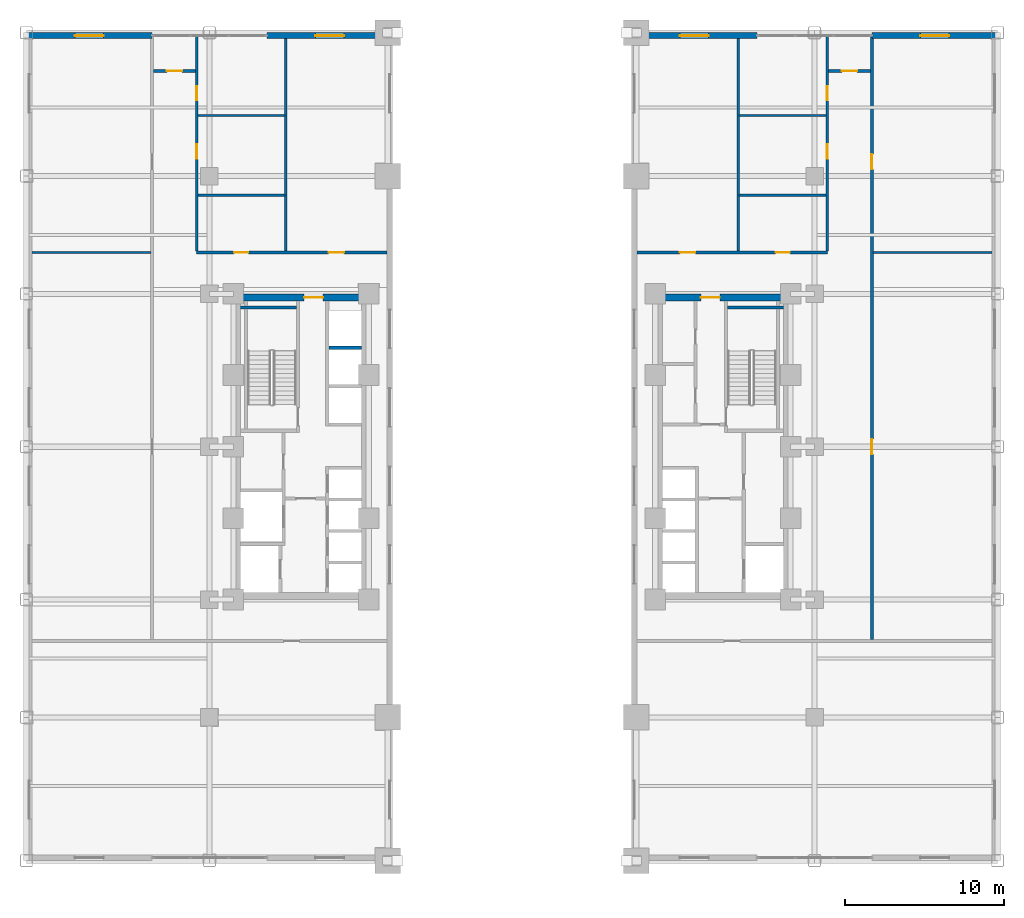
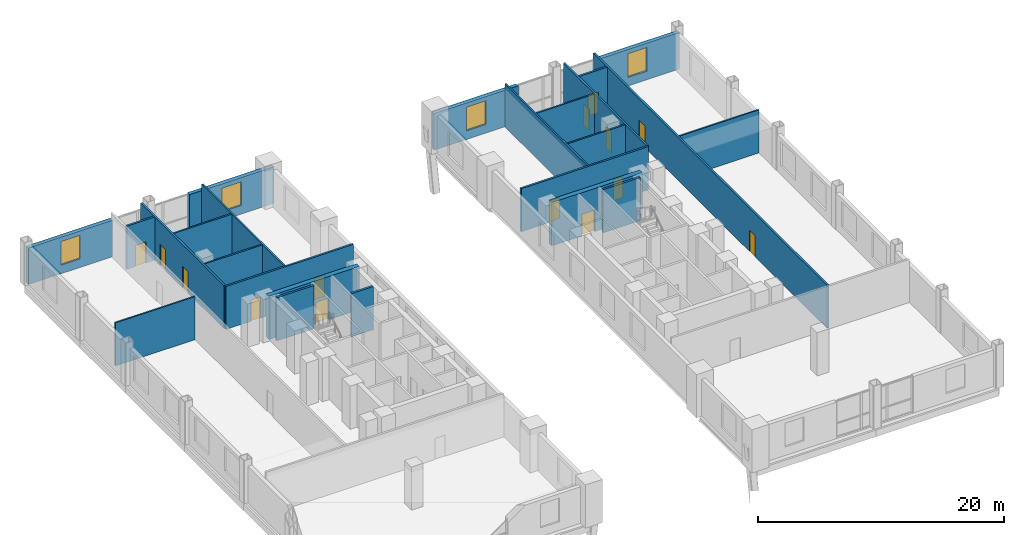
# One storey, part 6 of 15: 24 walls, 14 doors, 4 windows, 18 openings.
"""IFC4 building model written with IfcOpenShell, lengths in metres."""

from ifc_helpers import new_model, si_unit, direction, frame, frame_2d, origin, place, context, subcontext, project, spatial, rectangle, extrude, source, transform, mapped, material, layer, layer_set, type_object, type_shapes, element, fill, save


model = new_model("IFC4")

# Units and contexts
model_context = context("Model", 3, precision=1e-05, world=origin(), true_north=direction((0.0, 1.0)))
body_context = subcontext(model_context, "Body", "Model", "MODEL_VIEW")
ifc_project = project(units=[si_unit("LENGTHUNIT", "METRE"), si_unit("AREAUNIT", "SQUARE_METRE"), si_unit("VOLUMEUNIT", "CUBIC_METRE"), si_unit("PLANEANGLEUNIT", "RADIAN"), si_unit("MASSUNIT", "GRAM", prefix="KILO")], contexts=[model_context])

# Site, building, storey
site_placement = place(None, origin())
site = spatial("IfcSite", under=ifc_project, at=site_placement, CompositionType="ELEMENT")
building_placement = place(site_placement, origin())
building = spatial("IfcBuilding", under=site, at=building_placement, Name="Nuvemarco Arch Tower", CompositionType="ELEMENT")
storey_placement = place(building_placement, frame((0.0, 0.0, 4.60009765625)))
storey = spatial("IfcBuildingStorey", under=building, at=storey_placement, Name="L01", CompositionType="ELEMENT", Elevation=4.60009765625)

# Wall, opening, window
ifc_material_1 = material(Name="Precast concrete C45/55", Category="concrete")
ifc_layer_1 = layer(ifc_material_1, 0.360107421875, Name="EW-POD-360")
ifc_layer_set_1 = layer_set([ifc_layer_1], Name="Precast concrete C45/55")
wall_type_1 = type_object("IfcWallType", Name="EW-POD-360", PredefinedType="STANDARD", material=ifc_layer_set_1)
wall_1_placement = place(storey_placement, frame((-30.5, 25.820068359375, 0.0), z_axis=(0.0, 0.0, 1.0), x_axis=(1.0, 0.0, 0.0)))
wall_1 = element("IfcWall", 1, at=wall_1_placement, inside=storey, type_object=wall_type_1, Name="L01 exterior precast pier wall north left", PredefinedType="STANDARD", context=body_context, shape_type="SweptSolid", body=[
    extrude(rectangle(XDim=7.89990234375, YDim=0.360107421875, at=frame_2d((3.949951171875, 0.0))), origin(), (0.0, 0.0, 1.0), 3.614990234375),
])
opening_1_placement = place(wall_1_placement, frame((3.050048828125, 0.0, 0.85009765625)))
opening_1 = element("IfcOpeningElement", 2, at=opening_1_placement, cuts=wall_1, Name="Opening WN-2", PredefinedType="OPENING", context=body_context, shape_type="SweptSolid", body=[
    extrude(rectangle(XDim=1.800048828125, YDim=2.35009765625, at=frame_2d((0.89990234375, 1.175048828125))), frame((0.0, 0.18994140625, 0.0), z_axis=(0.0, -1.0, 0.0), x_axis=(1.0, 0.0, 0.0)), (0.0, 0.0, 1.0), 0.380126953125),
])
ifc_material_2 = material(Name="Insulated solar-control glass", Category="glass")
window_type = type_object("IfcWindowType", Name="WN-POD-1800x2350", PartitioningType="DOUBLE_PANEL_VERTICAL", PredefinedType="WINDOW", material=ifc_material_2)
shared_shape_1 = source(origin(), body_context, "Body", "SweptSolid", [
    extrude(rectangle(XDim=1.800048828125, YDim=2.35009765625, at=frame_2d((0.89990234375, 1.175048828125))), frame((0.0, 0.030029296875, 0.0), z_axis=(0.0, -1.0, 0.0), x_axis=(1.0, 0.0, 0.0)), (0.0, 0.0, 1.0), 0.06005859375),
])
type_shapes(window_type, [shared_shape_1])
window_1_placement = place(opening_1_placement, origin())
window_1 = element("IfcWindow", 3, at=window_1_placement, inside=storey, type_object=window_type, Name="L01 punched facade window 1", OverallHeight=2.35009765625, OverallWidth=1.800048828125, PartitioningType="SINGLE_PANEL", PredefinedType="WINDOW", context=body_context, shape_type="MappedRepresentation", body=[
    mapped(shared_shape_1, transform((0.0, 0.0, 0.0), scale=1.0)),
])
fill(opening_1, window_1)

wall_2_placement = place(storey_placement, frame((-15.39990234375, 25.820068359375, 0.0), z_axis=(0.0, 0.0, 1.0), x_axis=(1.0, 0.0, 0.0)))
wall_2 = element("IfcWall", 4, at=wall_2_placement, inside=storey, type_object=wall_type_1, Name="L01 exterior precast pier wall north right", PredefinedType="STANDARD", context=body_context, shape_type="SweptSolid", body=[
    extrude(rectangle(XDim=7.89990234375, YDim=0.360107421875, at=frame_2d((3.949951171875, 0.0))), origin(), (0.0, 0.0, 1.0), 3.614990234375),
])
opening_2_placement = place(wall_2_placement, frame((3.050048828125, 0.0, 0.85009765625)))
opening_2 = element("IfcOpeningElement", 5, at=opening_2_placement, cuts=wall_2, Name="Opening WN-2", PredefinedType="OPENING", context=body_context, shape_type="SweptSolid", body=[
    extrude(rectangle(XDim=1.800048828125, YDim=2.35009765625, at=frame_2d((0.89990234375, 1.175048828125))), frame((0.0, 0.18994140625, 0.0), z_axis=(0.0, -1.0, 0.0), x_axis=(1.0, 0.0, 0.0)), (0.0, 0.0, 1.0), 0.380126953125),
])
window_2_placement = place(opening_2_placement, origin())
window_2 = element("IfcWindow", 6, at=window_2_placement, inside=storey, type_object=window_type, Name="L01 punched facade window 1", OverallHeight=2.35009765625, OverallWidth=1.800048828125, PartitioningType="SINGLE_PANEL", PredefinedType="WINDOW", context=body_context, shape_type="MappedRepresentation", body=[
    mapped(shared_shape_1, transform((0.0, 0.0, 0.0), scale=1.0)),
])
fill(opening_2, window_2)

wall_3_placement = place(storey_placement, frame((7.5, 25.820068359375, 0.0), z_axis=(0.0, 0.0, 1.0), x_axis=(1.0, 0.0, 0.0)))
wall_3 = element("IfcWall", 7, at=wall_3_placement, inside=storey, type_object=wall_type_1, Name="L01 exterior precast pier wall north left", PredefinedType="STANDARD", context=body_context, shape_type="SweptSolid", body=[
    extrude(rectangle(XDim=7.89990234375, YDim=0.360107421875, at=frame_2d((3.949951171875, 0.0))), origin(), (0.0, 0.0, 1.0), 3.614990234375),
])
opening_3_placement = place(wall_3_placement, frame((3.050048828125, 0.0, 0.85009765625)))
opening_3 = element("IfcOpeningElement", 8, at=opening_3_placement, cuts=wall_3, Name="Opening WN-2", PredefinedType="OPENING", context=body_context, shape_type="SweptSolid", body=[
    extrude(rectangle(XDim=1.800048828125, YDim=2.35009765625, at=frame_2d((0.89990234375, 1.175048828125))), frame((0.0, 0.18994140625, 0.0), z_axis=(0.0, -1.0, 0.0), x_axis=(1.0, 0.0, 0.0)), (0.0, 0.0, 1.0), 0.380126953125),
])
window_3_placement = place(opening_3_placement, origin())
window_3 = element("IfcWindow", 9, at=window_3_placement, inside=storey, type_object=window_type, Name="L01 punched facade window 1", OverallHeight=2.35009765625, OverallWidth=1.800048828125, PartitioningType="SINGLE_PANEL", PredefinedType="WINDOW", context=body_context, shape_type="MappedRepresentation", body=[
    mapped(shared_shape_1, transform((0.0, 0.0, 0.0), scale=1.0)),
])
fill(opening_3, window_3)

wall_4_placement = place(storey_placement, frame((22.60009765625, 25.820068359375, 0.0), z_axis=(0.0, 0.0, 1.0), x_axis=(1.0, 0.0, 0.0)))
wall_4 = element("IfcWall", 10, at=wall_4_placement, inside=storey, type_object=wall_type_1, Name="L01 exterior precast pier wall north right", PredefinedType="STANDARD", context=body_context, shape_type="SweptSolid", body=[
    extrude(rectangle(XDim=7.89990234375, YDim=0.360107421875, at=frame_2d((3.949951171875, 0.0))), origin(), (0.0, 0.0, 1.0), 3.614990234375),
])
opening_4_placement = place(wall_4_placement, frame((3.050048828125, 0.0, 0.85009765625)))
opening_4 = element("IfcOpeningElement", 11, at=opening_4_placement, cuts=wall_4, Name="Opening WN-2", PredefinedType="OPENING", context=body_context, shape_type="SweptSolid", body=[
    extrude(rectangle(XDim=1.800048828125, YDim=2.35009765625, at=frame_2d((0.89990234375, 1.175048828125))), frame((0.0, 0.18994140625, 0.0), z_axis=(0.0, -1.0, 0.0), x_axis=(1.0, 0.0, 0.0)), (0.0, 0.0, 1.0), 0.380126953125),
])
window_4_placement = place(opening_4_placement, origin())
window_4 = element("IfcWindow", 12, at=window_4_placement, inside=storey, type_object=window_type, Name="L01 punched facade window 1", OverallHeight=2.35009765625, OverallWidth=1.800048828125, PartitioningType="SINGLE_PANEL", PredefinedType="WINDOW", context=body_context, shape_type="MappedRepresentation", body=[
    mapped(shared_shape_1, transform((0.0, 0.0, 0.0), scale=1.0)),
])
fill(opening_4, window_4)

# Wall, opening, door
ifc_material_3 = material(Name="Concrete C60/75", Category="concrete")
ifc_layer_2 = layer(ifc_material_3, 0.449951171875, Name="WL-CORE-450")
ifc_layer_set_2 = layer_set([ifc_layer_2], Name="Concrete C60/75")
wall_type_2 = type_object("IfcWallType", Name="WL-CORE-450", PredefinedType="SHEAR", material=ifc_layer_set_2)
wall_5_placement = place(storey_placement, frame((-17.5, 9.375, 0.0), z_axis=(0.0, 0.0, 1.0), x_axis=(1.0, 0.0, 0.0)))
wall_5 = element("IfcWall", 13, at=wall_5_placement, inside=storey, type_object=wall_type_2, Name="L01 W-core shear wall N", PredefinedType="SHEAR", context=body_context, shape_type="SweptSolid", body=[
    extrude(rectangle(XDim=8.5, YDim=0.449951171875, at=frame_2d((4.25, 0.0))), origin(), (0.0, 0.0, 1.0), 4.27978515625),
])
opening_5_placement = place(wall_5_placement, frame((4.43994140625, 0.0, 0.0)))
opening_5 = element("IfcOpeningElement", 14, at=opening_5_placement, cuts=wall_5, Name="Opening FD-2", PredefinedType="OPENING", context=body_context, shape_type="SweptSolid", body=[
    extrude(rectangle(XDim=1.199951171875, YDim=2.14990234375, at=frame_2d((0.60009765625, 1.074951171875))), frame((0.0, 0.23486328125, 0.0), z_axis=(0.0, -1.0, 0.0), x_axis=(1.0, 0.0, 0.0)), (0.0, 0.0, 1.0), 0.469970703125),
])
ifc_material_4 = material(Name="Anodised steel fire door", Category="steel")
door_type_1 = type_object("IfcDoorType", Name="DR-FFLOB-FD", OperationType="NOTDEFINED", PredefinedType="DOOR", material=ifc_material_4)
shared_shape_2 = source(origin(), body_context, "Body", "SweptSolid", [
    extrude(rectangle(XDim=1.199951171875, YDim=2.14990234375, at=frame_2d((0.60009765625, 1.074951171875))), frame((0.0, 0.02490234375, 0.0), z_axis=(0.0, -1.0, 0.0), x_axis=(1.0, 0.0, 0.0)), (0.0, 0.0, 1.0), 0.050048828125),
])
type_shapes(door_type_1, [shared_shape_2])
door_1_placement = place(opening_5_placement, origin())
door_1 = element("IfcDoor", 15, at=door_1_placement, inside=storey, type_object=door_type_1, Name="L01 door FD-L01-WCORE-N", OperationType="SINGLE_SWING_LEFT", OverallHeight=2.14990234375, OverallWidth=1.199951171875, PredefinedType="DOOR", context=body_context, shape_type="MappedRepresentation", body=[
    mapped(shared_shape_2, transform((0.0, 0.0, 0.0), scale=1.0)),
])
fill(opening_5, door_1)

wall_6_placement = place(storey_placement, frame((9.0, 9.375, 0.0), z_axis=(0.0, 0.0, 1.0), x_axis=(1.0, 0.0, 0.0)))
wall_6 = element("IfcWall", 16, at=wall_6_placement, inside=storey, type_object=wall_type_2, Name="L01 E-core shear wall N", PredefinedType="SHEAR", context=body_context, shape_type="SweptSolid", body=[
    extrude(rectangle(XDim=8.5, YDim=0.449951171875, at=frame_2d((4.25, 0.0))), origin(), (0.0, 0.0, 1.0), 4.27978515625),
])
opening_6_placement = place(wall_6_placement, frame((2.860107421875, 0.0, 0.0)))
opening_6 = element("IfcOpeningElement", 17, at=opening_6_placement, cuts=wall_6, Name="Opening FD-2", PredefinedType="OPENING", context=body_context, shape_type="SweptSolid", body=[
    extrude(rectangle(XDim=1.199951171875, YDim=2.14990234375, at=frame_2d((0.60009765625, 1.074951171875))), frame((0.0, 0.23486328125, 0.0), z_axis=(0.0, -1.0, 0.0), x_axis=(1.0, 0.0, 0.0)), (0.0, 0.0, 1.0), 0.469970703125),
])
door_2_placement = place(opening_6_placement, origin())
door_2 = element("IfcDoor", 18, at=door_2_placement, inside=storey, type_object=door_type_1, Name="L01 door FD-L01-ECORE-N", OperationType="SINGLE_SWING_RIGHT", OverallHeight=2.14990234375, OverallWidth=1.199951171875, PredefinedType="DOOR", context=body_context, shape_type="MappedRepresentation", body=[
    mapped(shared_shape_2, transform((0.0, 0.0, 0.0), scale=1.0)),
])
fill(opening_6, door_2)

# Wall, openings, doors
ifc_material_5 = material(Name="Fire-rated gypsum drywall partition")
ifc_layer_3 = layer(ifc_material_5, 0.179931640625, Name="WL-CORR-180")
ifc_layer_set_3 = layer_set([ifc_layer_3], Name="Fire-rated gypsum drywall partition")
wall_type_3 = type_object("IfcWallType", Name="WL-CORR-180", PredefinedType="PARTITIONING", material=ifc_layer_set_3)
wall_7_placement = place(storey_placement, frame((-19.800048828125, 12.199951171875, 0.0), z_axis=(0.0, 0.0, 1.0), x_axis=(1.0, 0.0, 0.0)))
wall_7 = element("IfcWall", 19, at=wall_7_placement, inside=storey, type_object=wall_type_3, Name="L01 interior wall IW-L01-004", PredefinedType="PARTITIONING", context=body_context, shape_type="SweptSolid", body=[
    extrude(rectangle(XDim=11.93994140625, YDim=0.179931640625, at=frame_2d((5.969970703125, 0.0))), origin(), (0.0, 0.0, 1.0), 4.27001953125),
])
opening_7_placement = place(wall_7_placement, frame((8.2900390625, 0.0, 0.0)))
opening_7 = element("IfcOpeningElement", 20, at=opening_7_placement, cuts=wall_7, Name="Opening FD-5", PredefinedType="OPENING", context=body_context, shape_type="SweptSolid", body=[
    extrude(rectangle(XDim=0.9599609375, YDim=2.10009765625, at=frame_2d((0.47998046875, 1.050048828125))), frame((0.0, 0.099853515625, 0.0), z_axis=(0.0, -1.0, 0.0), x_axis=(1.0, 0.0, 0.0)), (0.0, 0.0, 1.0), 0.199951171875),
])
opening_8_placement = place(wall_7_placement, frame((2.35009765625, 0.0, 0.0)))
opening_8 = element("IfcOpeningElement", 21, at=opening_8_placement, cuts=wall_7, Name="Opening ID-3", PredefinedType="OPENING", context=body_context, shape_type="SweptSolid", body=[
    extrude(rectangle(XDim=0.89990234375, YDim=2.10009765625, at=frame_2d((0.449951171875, 1.050048828125))), frame((0.0, 0.099853515625, 0.0), z_axis=(0.0, -1.0, 0.0), x_axis=(1.0, 0.0, 0.0)), (0.0, 0.0, 1.0), 0.199951171875),
])
ifc_material_6 = material(Name="Timber fire door", Category="wood")
door_type_2 = type_object("IfcDoorType", Name="DR-CORR-FD", OperationType="NOTDEFINED", PredefinedType="DOOR", material=ifc_material_6)
shared_shape_3 = source(origin(), body_context, "Body", "SweptSolid", [
    extrude(rectangle(XDim=0.9599609375, YDim=2.10009765625, at=frame_2d((0.47998046875, 1.050048828125))), frame((0.0, 0.02490234375, 0.0), z_axis=(0.0, -1.0, 0.0), x_axis=(1.0, 0.0, 0.0)), (0.0, 0.0, 1.0), 0.050048828125),
])
type_shapes(door_type_2, [shared_shape_3])
door_3_placement = place(opening_7_placement, origin())
door_3 = element("IfcDoor", 22, at=door_3_placement, inside=storey, type_object=door_type_2, Name="L01 door DR-L01-POD_WBRD", OperationType="SINGLE_SWING_LEFT", OverallHeight=2.10009765625, OverallWidth=0.9599609375, PredefinedType="DOOR", context=body_context, shape_type="MappedRepresentation", body=[
    mapped(shared_shape_3, transform((0.0, 0.0, 0.0), scale=1.0)),
])
fill(opening_7, door_3)
ifc_material_7 = material(Name="Veneered oak timber fire door", Category="wood")
door_type_3 = type_object("IfcDoorType", Name="DR-WC-ACC", OperationType="NOTDEFINED", PredefinedType="DOOR", material=ifc_material_7)
shared_shape_4 = source(origin(), body_context, "Body", "SweptSolid", [
    extrude(rectangle(XDim=0.89990234375, YDim=2.10009765625, at=frame_2d((0.449951171875, 1.050048828125))), frame((0.0, 0.02490234375, 0.0), z_axis=(0.0, -1.0, 0.0), x_axis=(1.0, 0.0, 0.0)), (0.0, 0.0, 1.0), 0.050048828125),
])
type_shapes(door_type_3, [shared_shape_4])
door_4_placement = place(opening_8_placement, origin())
door_4 = element("IfcDoor", 23, at=door_4_placement, inside=storey, type_object=door_type_3, Name="L01 door DR-L01-POD_WWC_ACC", OperationType="SINGLE_SWING_RIGHT", OverallHeight=2.10009765625, OverallWidth=0.89990234375, PredefinedType="DOOR", context=body_context, shape_type="MappedRepresentation", body=[
    mapped(shared_shape_4, transform((0.0, 0.0, 0.0), scale=1.0)),
])
fill(opening_8, door_4)

wall_8_placement = place(storey_placement, frame((7.860107421875, 12.199951171875, 0.0), z_axis=(0.0, 0.0, 1.0), x_axis=(1.0, 0.0, 0.0)))
wall_8 = element("IfcWall", 24, at=wall_8_placement, inside=storey, type_object=wall_type_3, Name="L01 interior wall IW-L01-005", PredefinedType="PARTITIONING", context=body_context, shape_type="SweptSolid", body=[
    extrude(rectangle(XDim=11.93994140625, YDim=0.179931640625, at=frame_2d((5.969970703125, 0.0))), origin(), (0.0, 0.0, 1.0), 4.27001953125),
])
opening_9_placement = place(wall_8_placement, frame((2.68994140625, 0.0, 0.0)))
opening_9 = element("IfcOpeningElement", 25, at=opening_9_placement, cuts=wall_8, Name="Opening FD-5", PredefinedType="OPENING", context=body_context, shape_type="SweptSolid", body=[
    extrude(rectangle(XDim=0.9599609375, YDim=2.10009765625, at=frame_2d((0.47998046875, 1.050048828125))), frame((0.0, 0.099853515625, 0.0), z_axis=(0.0, -1.0, 0.0), x_axis=(1.0, 0.0, 0.0)), (0.0, 0.0, 1.0), 0.199951171875),
])
opening_10_placement = place(wall_8_placement, frame((8.68994140625, 0.0, 0.0)))
opening_10 = element("IfcOpeningElement", 26, at=opening_10_placement, cuts=wall_8, Name="Opening ID-3", PredefinedType="OPENING", context=body_context, shape_type="SweptSolid", body=[
    extrude(rectangle(XDim=0.89990234375, YDim=2.10009765625, at=frame_2d((0.449951171875, 1.050048828125))), frame((0.0, 0.099853515625, 0.0), z_axis=(0.0, -1.0, 0.0), x_axis=(1.0, 0.0, 0.0)), (0.0, 0.0, 1.0), 0.199951171875),
])
door_5_placement = place(opening_9_placement, origin())
door_5 = element("IfcDoor", 27, at=door_5_placement, inside=storey, type_object=door_type_2, Name="L01 door DR-L01-POD_EMTG", OperationType="SINGLE_SWING_LEFT", OverallHeight=2.10009765625, OverallWidth=0.9599609375, PredefinedType="DOOR", context=body_context, shape_type="MappedRepresentation", body=[
    mapped(shared_shape_3, transform((0.0, 0.0, 0.0), scale=1.0)),
])
fill(opening_9, door_5)
door_6_placement = place(opening_10_placement, origin())
door_6 = element("IfcDoor", 28, at=door_6_placement, inside=storey, type_object=door_type_3, Name="L01 door DR-L01-POD_EWC_ACC", OperationType="SINGLE_SWING_RIGHT", OverallHeight=2.10009765625, OverallWidth=0.89990234375, PredefinedType="DOOR", context=body_context, shape_type="MappedRepresentation", body=[
    mapped(shared_shape_4, transform((0.0, 0.0, 0.0), scale=1.0)),
])
fill(opening_10, door_6)

# Wall, opening, door
wall_9_placement = place(storey_placement, frame((-22.513916015625, 23.60009765625, 0.0), z_axis=(0.0, 0.0, 1.0), x_axis=(1.0, 0.0, 0.0)))
wall_9 = element("IfcWall", 29, at=wall_9_placement, inside=storey, type_object=wall_type_3, Name="L01 interior wall IW-L01-011", PredefinedType="PARTITIONING", context=body_context, shape_type="SweptSolid", body=[
    extrude(rectangle(XDim=2.6279296875, YDim=0.179931640625, at=frame_2d((1.31396484375, 0.0))), origin(), (0.0, 0.0, 1.0), 4.27001953125),
])
opening_11_placement = place(wall_9_placement, frame((0.833984375, 0.0, 0.0)))
opening_11 = element("IfcOpeningElement", 30, at=opening_11_placement, cuts=wall_9, Name="Opening FD-5", PredefinedType="OPENING", context=body_context, shape_type="SweptSolid", body=[
    extrude(rectangle(XDim=0.9599609375, YDim=2.10009765625, at=frame_2d((0.47998046875, 1.050048828125))), frame((0.0, 0.099853515625, 0.0), z_axis=(0.0, -1.0, 0.0), x_axis=(1.0, 0.0, 0.0)), (0.0, 0.0, 1.0), 0.199951171875),
])
door_7_placement = place(opening_11_placement, origin())
door_7 = element("IfcDoor", 31, at=door_7_placement, inside=storey, type_object=door_type_2, Name="L01 door DR-L01-POD_WSTORE", OperationType="SINGLE_SWING_LEFT", OverallHeight=2.10009765625, OverallWidth=0.9599609375, PredefinedType="DOOR", context=body_context, shape_type="MappedRepresentation", body=[
    mapped(shared_shape_3, transform((0.0, 0.0, 0.0), scale=1.0)),
])
fill(opening_11, door_7)

wall_10_placement = place(storey_placement, frame((19.885986328125, 23.60009765625, 0.0), z_axis=(0.0, 0.0, 1.0), x_axis=(1.0, 0.0, 0.0)))
wall_10 = element("IfcWall", 32, at=wall_10_placement, inside=storey, type_object=wall_type_3, Name="L01 interior wall IW-L01-012", PredefinedType="PARTITIONING", context=body_context, shape_type="SweptSolid", body=[
    extrude(rectangle(XDim=2.6279296875, YDim=0.179931640625, at=frame_2d((1.31396484375, 0.0))), origin(), (0.0, 0.0, 1.0), 4.27001953125),
])
opening_12_placement = place(wall_10_placement, frame((0.833984375, 0.0, 0.0)))
opening_12 = element("IfcOpeningElement", 33, at=opening_12_placement, cuts=wall_10, Name="Opening FD-5", PredefinedType="OPENING", context=body_context, shape_type="SweptSolid", body=[
    extrude(rectangle(XDim=0.9599609375, YDim=2.10009765625, at=frame_2d((0.47998046875, 1.050048828125))), frame((0.0, 0.099853515625, 0.0), z_axis=(0.0, -1.0, 0.0), x_axis=(1.0, 0.0, 0.0)), (0.0, 0.0, 1.0), 0.199951171875),
])
door_8_placement = place(opening_12_placement, origin())
door_8 = element("IfcDoor", 34, at=door_8_placement, inside=storey, type_object=door_type_2, Name="L01 door DR-L01-POD_ESTORE", OperationType="SINGLE_SWING_LEFT", OverallHeight=2.10009765625, OverallWidth=0.9599609375, PredefinedType="DOOR", context=body_context, shape_type="MappedRepresentation", body=[
    mapped(shared_shape_3, transform((0.0, 0.0, 0.0), scale=1.0)),
])
fill(opening_12, door_8)

# Wall, openings, doors
wall_11_placement = place(storey_placement, frame((-19.800048828125, 12.285888671875, 0.0), z_axis=(0.0, 0.0, 1.0), x_axis=(0.0, 1.0, 0.0)))
wall_11 = element("IfcWall", 35, at=wall_11_placement, inside=storey, type_object=wall_type_3, Name="L01 interior wall IW-L01-014", PredefinedType="PARTITIONING", context=body_context, shape_type="SweptSolid", body=[
    extrude(rectangle(XDim=13.51904296875, YDim=0.179931640625, at=frame_2d((6.759521484375, 0.0))), origin(), (0.0, 0.0, 1.0), 4.27001953125),
])
opening_13_placement = place(wall_11_placement, frame((5.81396484375, 0.0, 0.0)))
opening_13 = element("IfcOpeningElement", 36, at=opening_13_placement, cuts=wall_11, Name="Opening ID-3", PredefinedType="OPENING", context=body_context, shape_type="SweptSolid", body=[
    extrude(rectangle(XDim=0.89990234375, YDim=2.10009765625, at=frame_2d((0.449951171875, 1.050048828125))), frame((0.0, 0.099853515625, 0.0), z_axis=(0.0, -1.0, 0.0), x_axis=(1.0, 0.0, 0.0)), (0.0, 0.0, 1.0), 0.199951171875),
])
opening_14_placement = place(wall_11_placement, frame((9.464111328125, 0.0, 0.0)))
opening_14 = element("IfcOpeningElement", 37, at=opening_14_placement, cuts=wall_11, Name="Opening ID-3", PredefinedType="OPENING", context=body_context, shape_type="SweptSolid", body=[
    extrude(rectangle(XDim=0.89990234375, YDim=2.10009765625, at=frame_2d((0.449951171875, 1.050048828125))), frame((0.0, 0.099853515625, 0.0), z_axis=(0.0, -1.0, 0.0), x_axis=(1.0, 0.0, 0.0)), (0.0, 0.0, 1.0), 0.199951171875),
])
door_9_placement = place(opening_13_placement, origin())
door_9 = element("IfcDoor", 38, at=door_9_placement, inside=storey, type_object=door_type_3, Name="L01 door DR-L01-POD_WWC_M", OperationType="SINGLE_SWING_LEFT", OverallHeight=2.10009765625, OverallWidth=0.89990234375, PredefinedType="DOOR", context=body_context, shape_type="MappedRepresentation", body=[
    mapped(shared_shape_4, transform((0.0, 0.0, 0.0), scale=1.0)),
])
fill(opening_13, door_9)
door_10_placement = place(opening_14_placement, origin())
door_10 = element("IfcDoor", 39, at=door_10_placement, inside=storey, type_object=door_type_3, Name="L01 door DR-L01-POD_WWC_F", OperationType="SINGLE_SWING_RIGHT", OverallHeight=2.10009765625, OverallWidth=0.89990234375, PredefinedType="DOOR", context=body_context, shape_type="MappedRepresentation", body=[
    mapped(shared_shape_4, transform((0.0, 0.0, 0.0), scale=1.0)),
])
fill(opening_14, door_10)

wall_12_placement = place(storey_placement, frame((19.800048828125, 12.285888671875, 0.0), z_axis=(0.0, 0.0, 1.0), x_axis=(0.0, 1.0, 0.0)))
wall_12 = element("IfcWall", 40, at=wall_12_placement, inside=storey, type_object=wall_type_3, Name="L01 interior wall IW-L01-017", PredefinedType="PARTITIONING", context=body_context, shape_type="SweptSolid", body=[
    extrude(rectangle(XDim=13.51904296875, YDim=0.179931640625, at=frame_2d((6.759521484375, 0.0))), origin(), (0.0, 0.0, 1.0), 4.27001953125),
])
opening_15_placement = place(wall_12_placement, frame((5.81396484375, 0.0, 0.0)))
opening_15 = element("IfcOpeningElement", 41, at=opening_15_placement, cuts=wall_12, Name="Opening ID-3", PredefinedType="OPENING", context=body_context, shape_type="SweptSolid", body=[
    extrude(rectangle(XDim=0.89990234375, YDim=2.10009765625, at=frame_2d((0.449951171875, 1.050048828125))), frame((0.0, 0.099853515625, 0.0), z_axis=(0.0, -1.0, 0.0), x_axis=(1.0, 0.0, 0.0)), (0.0, 0.0, 1.0), 0.199951171875),
])
opening_16_placement = place(wall_12_placement, frame((9.464111328125, 0.0, 0.0)))
opening_16 = element("IfcOpeningElement", 42, at=opening_16_placement, cuts=wall_12, Name="Opening ID-3", PredefinedType="OPENING", context=body_context, shape_type="SweptSolid", body=[
    extrude(rectangle(XDim=0.89990234375, YDim=2.10009765625, at=frame_2d((0.449951171875, 1.050048828125))), frame((0.0, 0.099853515625, 0.0), z_axis=(0.0, -1.0, 0.0), x_axis=(1.0, 0.0, 0.0)), (0.0, 0.0, 1.0), 0.199951171875),
])
door_11_placement = place(opening_15_placement, origin())
door_11 = element("IfcDoor", 43, at=door_11_placement, inside=storey, type_object=door_type_3, Name="L01 door DR-L01-POD_EWC_M", OperationType="SINGLE_SWING_LEFT", OverallHeight=2.10009765625, OverallWidth=0.89990234375, PredefinedType="DOOR", context=body_context, shape_type="MappedRepresentation", body=[
    mapped(shared_shape_4, transform((0.0, 0.0, 0.0), scale=1.0)),
])
fill(opening_15, door_11)
door_12_placement = place(opening_16_placement, origin())
door_12 = element("IfcDoor", 44, at=door_12_placement, inside=storey, type_object=door_type_3, Name="L01 door DR-L01-POD_EWC_F", OperationType="SINGLE_SWING_RIGHT", OverallHeight=2.10009765625, OverallWidth=0.89990234375, PredefinedType="DOOR", context=body_context, shape_type="MappedRepresentation", body=[
    mapped(shared_shape_4, transform((0.0, 0.0, 0.0), scale=1.0)),
])
fill(opening_16, door_12)

wall_13_placement = place(storey_placement, frame((22.60009765625, -12.114013671875, 0.0), z_axis=(0.0, 0.0, 1.0), x_axis=(0.0, 1.0, 0.0)))
wall_13 = element("IfcWall", 45, at=wall_13_placement, inside=storey, type_object=wall_type_3, Name="L01 interior wall IW-L01-018", PredefinedType="PARTITIONING", context=body_context, shape_type="SweptSolid", body=[
    extrude(rectangle(XDim=37.9189453125, YDim=0.179931640625, at=frame_2d((18.95947265625, 0.0))), origin(), (0.0, 0.0, 1.0), 4.27001953125),
])
opening_17_placement = place(wall_13_placement, frame((11.634033203125, 0.0, 0.0)))
opening_17 = element("IfcOpeningElement", 46, at=opening_17_placement, cuts=wall_13, Name="Opening FD-5", PredefinedType="OPENING", context=body_context, shape_type="SweptSolid", body=[
    extrude(rectangle(XDim=0.9599609375, YDim=2.10009765625, at=frame_2d((0.47998046875, 1.050048828125))), frame((0.0, 0.099853515625, 0.0), z_axis=(0.0, -1.0, 0.0), x_axis=(1.0, 0.0, 0.0)), (0.0, 0.0, 1.0), 0.199951171875),
])
opening_18_placement = place(wall_13_placement, frame((29.533935546875, 0.0, 0.0)))
opening_18 = element("IfcOpeningElement", 47, at=opening_18_placement, cuts=wall_13, Name="Opening FD-5", PredefinedType="OPENING", context=body_context, shape_type="SweptSolid", body=[
    extrude(rectangle(XDim=0.9599609375, YDim=2.10009765625, at=frame_2d((0.47998046875, 1.050048828125))), frame((0.0, 0.099853515625, 0.0), z_axis=(0.0, -1.0, 0.0), x_axis=(1.0, 0.0, 0.0)), (0.0, 0.0, 1.0), 0.199951171875),
])
door_13_placement = place(opening_17_placement, origin())
door_13 = element("IfcDoor", 48, at=door_13_placement, inside=storey, type_object=door_type_2, Name="L01 door DR-L01-POD_EOFF", OperationType="SINGLE_SWING_RIGHT", OverallHeight=2.10009765625, OverallWidth=0.9599609375, PredefinedType="DOOR", context=body_context, shape_type="MappedRepresentation", body=[
    mapped(shared_shape_3, transform((0.0, 0.0, 0.0), scale=1.0)),
])
fill(opening_17, door_13)
door_14_placement = place(opening_18_placement, origin())
door_14 = element("IfcDoor", 49, at=door_14_placement, inside=storey, type_object=door_type_2, Name="L01 door DR-L01-POD_EBRD", OperationType="SINGLE_SWING_RIGHT", OverallHeight=2.10009765625, OverallWidth=0.9599609375, PredefinedType="DOOR", context=body_context, shape_type="MappedRepresentation", body=[
    mapped(shared_shape_3, transform((0.0, 0.0, 0.0), scale=1.0)),
])
fill(opening_18, door_14)

# Walls
ifc_material_8 = material(Name="Gypsum plasterboard partition")
ifc_layer_4 = layer(ifc_material_8, 0.139892578125, Name="WL-ROOM-140")
ifc_layer_set_4 = layer_set([ifc_layer_4], Name="Gypsum plasterboard partition")
wall_type_4 = type_object("IfcWallType", Name="WL-ROOM-140", PredefinedType="PARTITIONING", material=ifc_layer_set_4)
for number, where, z_axis, x_axis, name in (
    (50, (-30.139892578125, 12.199951171875, 0.0), (0.0, 0.0, 1.0), (1.0, 0.0, 0.0), "L01 interior wall IW-L01-003"),
    (51, (22.68603515625, 12.199951171875, 0.0), (0.0, 0.0, 1.0), (1.0, 0.0, 0.0), "L01 interior wall IW-L01-006"),
):
    element("IfcWall", number, at=place(storey_placement, frame(where, z_axis=z_axis, x_axis=x_axis)), inside=storey, type_object=wall_type_4, Name=name, PredefinedType="PARTITIONING", context=body_context, shape_type="SweptSolid", body=[
        extrude(rectangle(XDim=7.453857421875, YDim=0.139892578125, at=frame_2d((3.72705078125, 0.0))), origin(), (0.0, 0.0, 1.0), 4.27001953125),
    ])
ifc_material_9 = material(Name="Concrete C50/60", Category="concrete")
ifc_layer_5 = layer(ifc_material_9, 0.199951171875, Name="WL-SHAFT-220")
ifc_layer_set_5 = layer_set([ifc_layer_5], Name="Concrete C50/60")
wall_type_5 = type_object("IfcWallType", Name="WL-SHAFT-220", PredefinedType="SHEAR", material=ifc_layer_set_5)
wall_14_placement = place(storey_placement, frame((-17.054931640625, 8.75, 0.0), z_axis=(0.0, 0.0, 1.0), x_axis=(1.0, 0.0, 0.0)))
element("IfcWall", 52, at=wall_14_placement, inside=storey, type_object=wall_type_5, Name="L01 structural shaft wall SW-L01-W-ST1N", PredefinedType="SHEAR", context=body_context, shape_type="SweptSolid", body=[
    extrude(rectangle(XDim=3.52001953125, YDim=0.199951171875, at=frame_2d((1.760009765625, 0.0))), origin(), (0.0, 0.0, 1.0), 4.27978515625),
])
wall_15_placement = place(storey_placement, frame((-11.5048828125, 6.219970703125, 0.0), z_axis=(0.0, 0.0, 1.0), x_axis=(1.0, 0.0, 0.0)))
element("IfcWall", 53, at=wall_15_placement, inside=storey, type_object=wall_type_5, Name="L01 structural shaft wall SW-L01-W-PHD3", PredefinedType="SHEAR", context=body_context, shape_type="SweptSolid", body=[
    extrude(rectangle(XDim=2.059814453125, YDim=0.199951171875, at=frame_2d((1.02978515625, 0.0))), origin(), (0.0, 0.0, 1.0), 4.27978515625),
])
wall_16_placement = place(storey_placement, frame((13.534912109375, 8.75, 0.0), z_axis=(0.0, 0.0, 1.0), x_axis=(1.0, 0.0, 0.0)))
element("IfcWall", 54, at=wall_16_placement, inside=storey, type_object=wall_type_5, Name="L01 structural shaft wall SW-L01-E-ST2N", PredefinedType="SHEAR", context=body_context, shape_type="SweptSolid", body=[
    extrude(rectangle(XDim=3.52001953125, YDim=0.199951171875, at=frame_2d((1.760009765625, 0.0))), origin(), (0.0, 0.0, 1.0), 4.27978515625),
])
ifc_material_10 = material(Name="Moisture-resistant gypsum partition")
ifc_layer_6 = layer(ifc_material_10, 0.14990234375, Name="WL-WET-150")
ifc_layer_set_6 = layer_set([ifc_layer_6], Name="Moisture-resistant gypsum partition")
wall_type_6 = type_object("IfcWallType", Name="WL-WET-150", PredefinedType="PARTITIONING", material=ifc_layer_set_6)
for number, where, z_axis, x_axis, name in (
    (55, (-19.714111328125, 15.800048828125, 0.0), (0.0, 0.0, 1.0), (1.0, 0.0, 0.0), "L01 interior wall IW-L01-007"),
    (56, (14.27099609375, 15.800048828125, 0.0), (0.0, 0.0, 1.0), (1.0, 0.0, 0.0), "L01 interior wall IW-L01-008"),
    (57, (-19.714111328125, 20.800048828125, 0.0), (0.0, 0.0, 1.0), (1.0, 0.0, 0.0), "L01 interior wall IW-L01-009"),
    (58, (14.27099609375, 20.800048828125, 0.0), (0.0, 0.0, 1.0), (1.0, 0.0, 0.0), "L01 interior wall IW-L01-010"),
):
    element("IfcWall", number, at=place(storey_placement, frame(where, z_axis=z_axis, x_axis=x_axis)), inside=storey, type_object=wall_type_6, Name=name, PredefinedType="PARTITIONING", context=body_context, shape_type="SweptSolid", body=[
        extrude(rectangle(XDim=5.443115234375, YDim=0.14990234375, at=frame_2d((2.7216796875, 0.0))), origin(), (0.0, 0.0, 1.0), 4.27001953125),
    ])
for number, where, z_axis, x_axis, name in (
    (59, (-14.199951171875, 12.285888671875, 0.0), (0.0, 0.0, 1.0), (0.0, 1.0, 0.0), "L01 interior wall IW-L01-015"),
    (60, (14.199951171875, 12.285888671875, 0.0), (0.0, 0.0, 1.0), (0.0, 1.0, 0.0), "L01 interior wall IW-L01-016"),
):
    element("IfcWall", number, at=place(storey_placement, frame(where, z_axis=z_axis, x_axis=x_axis)), inside=storey, type_object=wall_type_6, Name=name, PredefinedType="PARTITIONING", context=body_context, shape_type="SweptSolid", body=[
        extrude(rectangle(XDim=13.35400390625, YDim=0.14990234375, at=frame_2d((6.677001953125, 0.0))), origin(), (0.0, 0.0, 1.0), 4.27001953125),
    ])

save(model, "model.ifc")
